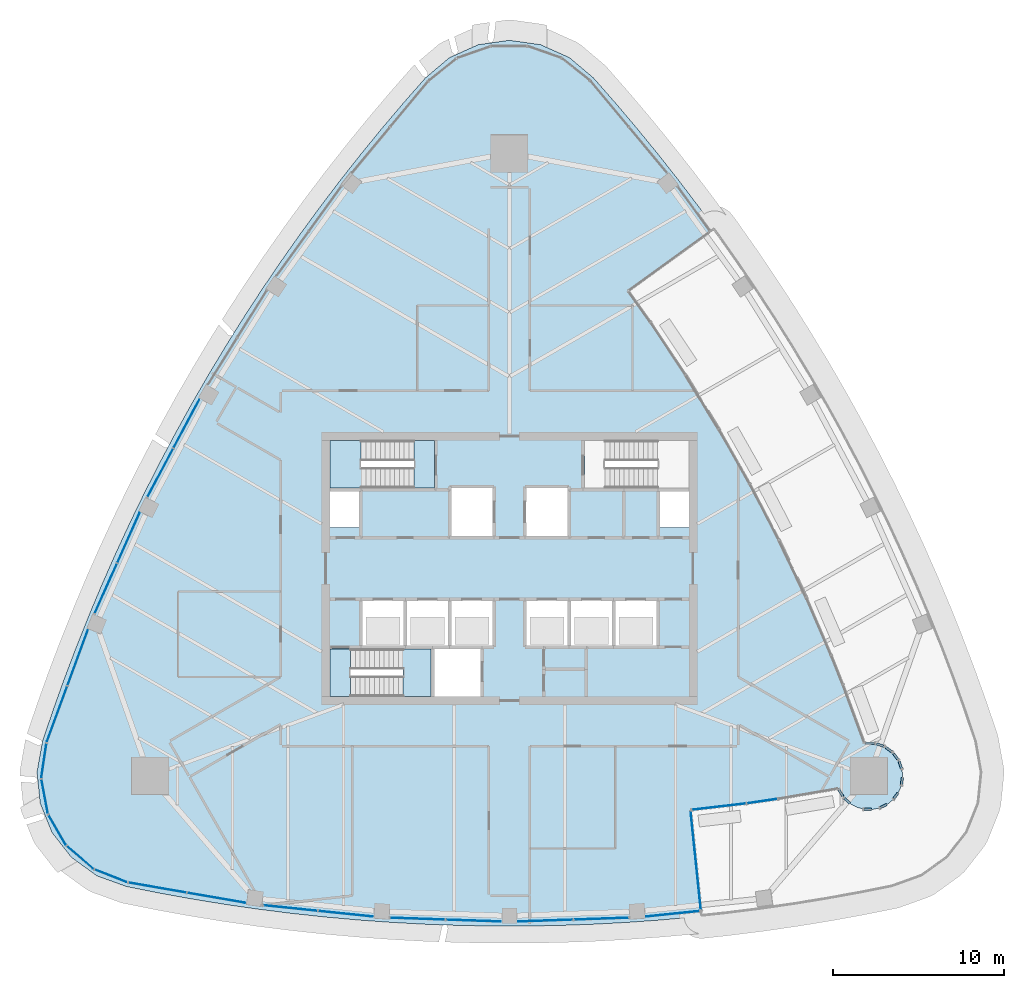
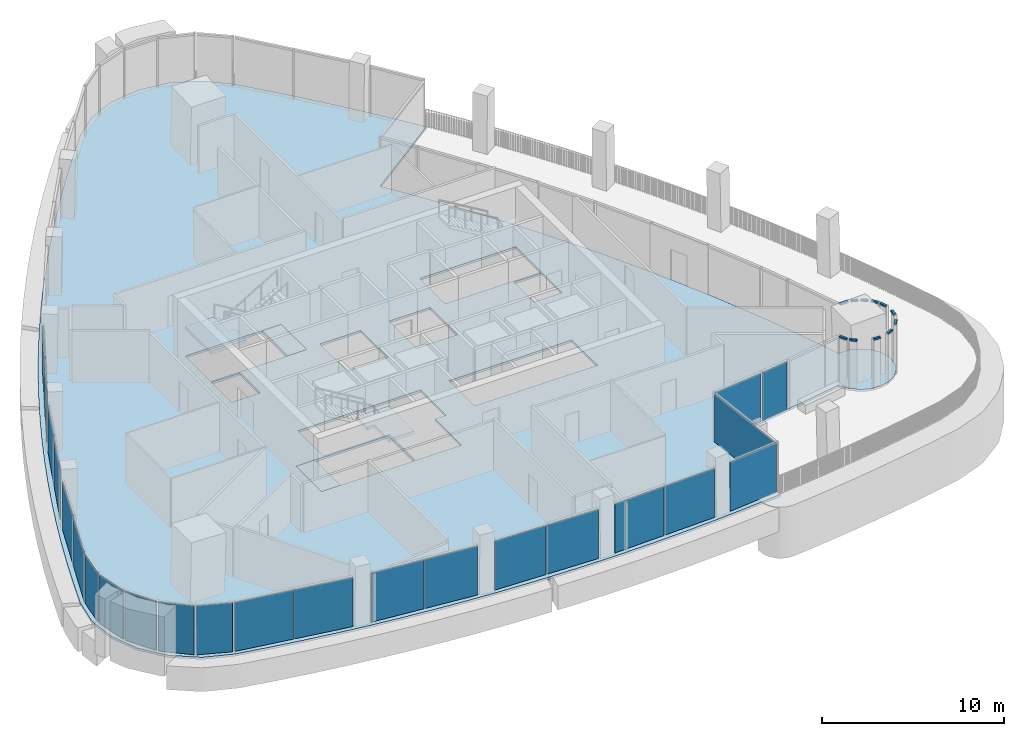
# One storey, part 8 of 20: 23 plates, 11 members, 5 slabs, 29 elements without a shape of their own.
"""IFC4 building model written with IfcOpenShell, lengths in metres."""

from ifc_helpers import new_model, si_unit, direction, frame, origin, origin_2d, place, context, subcontext, project, spatial, polyline, rectangle, outline, extrude, material, layer, layer_set, material_profile, profile_set, type_object, element, aggregate, save


model = new_model("IFC4")

# Units and contexts
model_context = context("Model", 3, precision=1e-05, world=origin(), true_north=direction((0.0, 1.0)))
body_context = subcontext(model_context, "Body", "Model", "MODEL_VIEW")
ifc_project = project(units=[si_unit("LENGTHUNIT", "METRE"), si_unit("AREAUNIT", "SQUARE_METRE"), si_unit("VOLUMEUNIT", "CUBIC_METRE"), si_unit("PLANEANGLEUNIT", "RADIAN"), si_unit("MASSUNIT", "GRAM", prefix="KILO")], contexts=[model_context])

# Site, building, storey
site_placement = place(None, origin())
site = spatial("IfcSite", under=ifc_project, at=site_placement, CompositionType="ELEMENT")
building_placement = place(site_placement, origin())
building = spatial("IfcBuilding", under=site, at=building_placement, Name="Sierra Prisma Convention Tower", CompositionType="ELEMENT")
storey_placement = place(building_placement, frame((0.0, 0.0, 275.0)))
storey = spatial("IfcBuildingStorey", under=building, at=storey_placement, Name="L62", CompositionType="ELEMENT", Elevation=275.0)

# Curtain wall, member
ifc_material_1 = material(Name="Aluminium and glass curtain wall", Category="aluminium")
ifc_layer_1 = layer(ifc_material_1, 0.179931640625)
ifc_layer_set_1 = layer_set([ifc_layer_1], Name="CW-6 Terrace recess curtain wall")
curtain_wall_type_1 = type_object("IfcCurtainWallType", Name="CW-6 Terrace recess curtain wall", PredefinedType="NOTDEFINED", material=ifc_layer_set_1)
curtain_wall_1_placement = place(storey_placement, origin())
curtain_wall_1 = element("IfcCurtainWall", 1, at=curtain_wall_1_placement, inside=storey, type_object=curtain_wall_type_1, Name="CW-6 R4 L62", PredefinedType="NOTDEFINED")
ifc_material_2 = material(Name="Aluminium 6063-T6 bronze anodised", Category="aluminium")
ifc_material_profile = material_profile(ifc_material_2, rectangle(XDim=0.139892578125, YDim=0.1201171875, at=origin_2d()), Name="ALU TRANSOM 120x140")
ifc_profile_set = profile_set([ifc_material_profile], Name="Aluminium 6063-T6 bronze anodised")
member_type = type_object("IfcMemberType", Name="CW transom bronze", PredefinedType="USERDEFINED", material=ifc_profile_set)
member_1_placement = place(storey_placement, frame((19.284423828125, -12.94140625, 3.280029296875), z_axis=(0.505207791499, -0.862997733142, 0.0), x_axis=(0.862997733142, 0.505207791499, 0.0)))
member_1 = element("IfcMember", 2, at=member_1_placement, type_object=member_type, Name="CW-6 transom R4.1", ObjectType="TRANSOM", PredefinedType="USERDEFINED", context=body_context, shape_type="SweptSolid", body=[
    extrude(rectangle(XDim=0.139892578125, YDim=0.1201171875, at=origin_2d()), origin(), (0.0, 0.0, 1.0), 0.46533203125),
])
aggregate(curtain_wall_1, [member_1])

curtain_wall_2_placement = place(storey_placement, origin())
curtain_wall_2 = element("IfcCurtainWall", 3, at=curtain_wall_2_placement, inside=storey, type_object=curtain_wall_type_1, Name="CW-6 R5 L62", PredefinedType="NOTDEFINED")
member_2_placement = place(storey_placement, frame((19.606689453125, -13.450439453125, 3.280029296875), z_axis=(0.740855729904, -0.671664192487, 0.0), x_axis=(0.671664192487, 0.740855729904, 0.0)))
member_2 = element("IfcMember", 4, at=member_2_placement, type_object=member_type, Name="CW-6 transom R5.1", ObjectType="TRANSOM", PredefinedType="USERDEFINED", context=body_context, shape_type="SweptSolid", body=[
    extrude(rectangle(XDim=0.139892578125, YDim=0.1201171875, at=origin_2d()), origin(), (0.0, 0.0, 1.0), 0.43408203125),
])
aggregate(curtain_wall_2, [member_2])

curtain_wall_3_placement = place(storey_placement, origin())
curtain_wall_3 = element("IfcCurtainWall", 5, at=curtain_wall_3_placement, inside=storey, type_object=curtain_wall_type_1, Name="CW-6 R8 L62", PredefinedType="NOTDEFINED")
member_3_placement = place(storey_placement, frame((20.755126953125, -14.084228515625, 3.280029296875), z_axis=(0.998773298385, -0.049516648033, 0.0), x_axis=(0.049516648033, 0.998773298385, 0.0)))
member_3 = element("IfcMember", 6, at=member_3_placement, type_object=member_type, Name="CW-6 transom R8.1", ObjectType="TRANSOM", PredefinedType="USERDEFINED", context=body_context, shape_type="SweptSolid", body=[
    extrude(rectangle(XDim=0.139892578125, YDim=0.1201171875, at=origin_2d()), origin(), (0.0, 0.0, 1.0), 0.433837890625),
])
aggregate(curtain_wall_3, [member_3])

curtain_wall_4_placement = place(storey_placement, origin())
curtain_wall_4 = element("IfcCurtainWall", 7, at=curtain_wall_4_placement, inside=storey, type_object=curtain_wall_type_1, Name="CW-6 R10 L62", PredefinedType="NOTDEFINED")
member_4_placement = place(storey_placement, frame((21.697509765625, -14.00439453125, 3.280029296875), z_axis=(0.904001119552, 0.427530087654, 0.0), x_axis=(-0.427530087654, 0.904001119552, 0.0)))
member_4 = element("IfcMember", 8, at=member_4_placement, type_object=member_type, Name="CW-6 transom R10.1", ObjectType="TRANSOM", PredefinedType="USERDEFINED", context=body_context, shape_type="SweptSolid", body=[
    extrude(rectangle(XDim=0.139892578125, YDim=0.1201171875, at=origin_2d()), origin(), (0.0, 0.0, 1.0), 0.43408203125),
])
aggregate(curtain_wall_4, [member_4])

curtain_wall_5_placement = place(storey_placement, origin())
curtain_wall_5 = element("IfcCurtainWall", 9, at=curtain_wall_5_placement, inside=storey, type_object=curtain_wall_type_1, Name="CW-6 R12 L62", PredefinedType="NOTDEFINED")
member_5_placement = place(storey_placement, frame((22.4912109375, -13.489501953125, 3.280029296875), z_axis=(0.595671369391, 0.803228248811, 0.0), x_axis=(-0.803228248811, 0.595671369391, 0.0)))
member_5 = element("IfcMember", 10, at=member_5_placement, type_object=member_type, Name="CW-6 transom R12.1", ObjectType="TRANSOM", PredefinedType="USERDEFINED", context=body_context, shape_type="SweptSolid", body=[
    extrude(rectangle(XDim=0.139892578125, YDim=0.1201171875, at=origin_2d()), origin(), (0.0, 0.0, 1.0), 0.43408203125),
])
aggregate(curtain_wall_5, [member_5])

curtain_wall_6_placement = place(storey_placement, origin())
curtain_wall_6 = element("IfcCurtainWall", 11, at=curtain_wall_6_placement, inside=storey, type_object=curtain_wall_type_1, Name="CW-6 R14 L62", PredefinedType="NOTDEFINED")
member_6_placement = place(storey_placement, frame((22.9482421875, -12.661376953125, 3.280029296875), z_axis=(0.146854530217, 0.98915810008, 0.0), x_axis=(-0.98915810008, 0.146854530217, 0.0)))
member_6 = element("IfcMember", 12, at=member_6_placement, type_object=member_type, Name="CW-6 transom R14.1", ObjectType="TRANSOM", PredefinedType="USERDEFINED", context=body_context, shape_type="SweptSolid", body=[
    extrude(rectangle(XDim=0.139892578125, YDim=0.1201171875, at=origin_2d()), origin(), (0.0, 0.0, 1.0), 0.433837890625),
])
aggregate(curtain_wall_6, [member_6])

curtain_wall_7_placement = place(storey_placement, origin())
curtain_wall_7 = element("IfcCurtainWall", 13, at=curtain_wall_7_placement, inside=storey, type_object=curtain_wall_type_1, Name="CW-6 R16 L62", PredefinedType="NOTDEFINED")
member_7_placement = place(storey_placement, frame((22.961181640625, -11.71533203125, 3.280029296875), z_axis=(-0.337084921302, 0.941474245973, 0.0), x_axis=(-0.941474245973, -0.337084921302, 0.0)))
member_7 = element("IfcMember", 14, at=member_7_placement, type_object=member_type, Name="CW-6 transom R16.1", ObjectType="TRANSOM", PredefinedType="USERDEFINED", context=body_context, shape_type="SweptSolid", body=[
    extrude(rectangle(XDim=0.139892578125, YDim=0.1201171875, at=origin_2d()), origin(), (0.0, 0.0, 1.0), 0.433837890625),
])
aggregate(curtain_wall_7, [member_7])

curtain_wall_8_placement = place(storey_placement, origin())
curtain_wall_8 = element("IfcCurtainWall", 15, at=curtain_wall_8_placement, inside=storey, type_object=curtain_wall_type_1, Name="CW-6 R17 L62", PredefinedType="NOTDEFINED")
member_8_placement = place(storey_placement, frame((22.749755859375, -11.184814453125, 3.280029296875), z_axis=(-0.595671369391, 0.803228248811, 0.0), x_axis=(-0.803228248811, -0.595671369391, 0.0)))
member_8 = element("IfcMember", 16, at=member_8_placement, type_object=member_type, Name="CW-6 transom R17.1", ObjectType="TRANSOM", PredefinedType="USERDEFINED", context=body_context, shape_type="SweptSolid", body=[
    extrude(rectangle(XDim=0.139892578125, YDim=0.1201171875, at=origin_2d()), origin(), (0.0, 0.0, 1.0), 0.43408203125),
])
aggregate(curtain_wall_8, [member_8])

curtain_wall_9_placement = place(storey_placement, origin())
curtain_wall_9 = element("IfcCurtainWall", 17, at=curtain_wall_9_placement, inside=storey, type_object=curtain_wall_type_1, Name="CW-6 R18 L62", PredefinedType="NOTDEFINED")
member_9_placement = place(storey_placement, frame((22.393310546875, -10.73828125, 3.280029296875), z_axis=(-0.803228248811, 0.595671369391, 0.0), x_axis=(-0.595671369391, -0.803228248811, 0.0)))
member_9 = element("IfcMember", 18, at=member_9_placement, type_object=member_type, Name="CW-6 transom R18.1", ObjectType="TRANSOM", PredefinedType="USERDEFINED", context=body_context, shape_type="SweptSolid", body=[
    extrude(rectangle(XDim=0.139892578125, YDim=0.1201171875, at=origin_2d()), origin(), (0.0, 0.0, 1.0), 0.43408203125),
])
aggregate(curtain_wall_9, [member_9])

curtain_wall_10_placement = place(storey_placement, origin())
curtain_wall_10 = element("IfcCurtainWall", 19, at=curtain_wall_10_placement, inside=storey, type_object=curtain_wall_type_1, Name="CW-6 R19 L62", PredefinedType="NOTDEFINED")
member_10_placement = place(storey_placement, frame((21.922607421875, -10.41455078125, 3.280029296875), z_axis=(-0.941474245973, 0.337084921302, 0.0), x_axis=(-0.337084921302, -0.941474245973, 0.0)))
member_10 = element("IfcMember", 20, at=member_10_placement, type_object=member_type, Name="CW-6 transom R19.1", ObjectType="TRANSOM", PredefinedType="USERDEFINED", context=body_context, shape_type="SweptSolid", body=[
    extrude(rectangle(XDim=0.139892578125, YDim=0.1201171875, at=origin_2d()), origin(), (0.0, 0.0, 1.0), 0.433837890625),
])
aggregate(curtain_wall_10, [member_10])

curtain_wall_11_placement = place(storey_placement, origin())
curtain_wall_11 = element("IfcCurtainWall", 21, at=curtain_wall_11_placement, inside=storey, type_object=curtain_wall_type_1, Name="CW-6 R20 L62", PredefinedType="NOTDEFINED")
member_11_placement = place(storey_placement, frame((21.378173828125, -10.243408203125, 3.280029296875), z_axis=(-0.999773939156, 0.021261951549, 0.0), x_axis=(-0.021261951549, -0.999773939156, 0.0)))
member_11 = element("IfcMember", 22, at=member_11_placement, type_object=member_type, Name="CW-6 transom R20.1", ObjectType="TRANSOM", PredefinedType="USERDEFINED", context=body_context, shape_type="SweptSolid", body=[
    extrude(rectangle(XDim=0.139892578125, YDim=0.1201171875, at=origin_2d()), origin(), (0.0, 0.0, 1.0), 0.528076171875),
])
aggregate(curtain_wall_11, [member_11])

# Curtain wall, plates
ifc_material_3 = material(Name="Aluminium and glass curtain wall", Category="aluminium")
ifc_layer_2 = layer(ifc_material_3, 0.179931640625)
ifc_layer_set_2 = layer_set([ifc_layer_2], Name="CW-1 Plain shaft curtain wall")
curtain_wall_type_2 = type_object("IfcCurtainWallType", Name="CW-1 Plain shaft curtain wall", PredefinedType="NOTDEFINED", material=ifc_layer_set_2)
curtain_wall_12_placement = place(storey_placement, origin())
curtain_wall_12 = element("IfcCurtainWall", 23, at=curtain_wall_12_placement, inside=storey, type_object=curtain_wall_type_2, Name="CW-1 NW4 L62", PredefinedType="NOTDEFINED")
ifc_material_4 = material(Name="Tinted glass bronze-grey IGU", Category="glass")
ifc_layer_3 = layer(ifc_material_4, 0.028076171875)
ifc_layer_set_3 = layer_set([ifc_layer_3], Name="CW-1 glass panel")
plate_type_1 = type_object("IfcPlateType", Name="CW-1 glass panel", PredefinedType="CURTAIN_PANEL", material=ifc_layer_set_3)
plate_1_placement = place(storey_placement, frame((-18.91259765625, 8.47705078125, 0.0), z_axis=(0.0, 0.0, 1.0), x_axis=(-0.469983345688, -0.882675282749, 0.0)))
plate_1 = element("IfcPlate", 24, at=plate_1_placement, type_object=plate_type_1, Name="CW-1 panel NW4.1", PredefinedType="CURTAIN_PANEL", context=body_context, shape_type="SweptSolid", body=[
    extrude(rectangle(XDim=3.192138671875, YDim=0.028076171875, at=origin_2d()), origin(), (0.0, 0.0, 1.0), 3.280029296875),
])
plate_2_placement = place(storey_placement, frame((-20.44580078125, 5.59765625, 0.0), z_axis=(0.0, 0.0, 1.0), x_axis=(-0.469983345688, -0.882675282749, 0.0)))
plate_2 = element("IfcPlate", 25, at=plate_2_placement, type_object=plate_type_1, Name="CW-1 panel NW4.2", PredefinedType="CURTAIN_PANEL", context=body_context, shape_type="SweptSolid", body=[
    extrude(rectangle(XDim=3.192138671875, YDim=0.028076171875, at=origin_2d()), origin(), (0.0, 0.0, 1.0), 3.280029296875),
])
aggregate(curtain_wall_12, [plate_1, plate_2])

curtain_wall_13_placement = place(storey_placement, origin())
curtain_wall_13 = element("IfcCurtainWall", 26, at=curtain_wall_13_placement, inside=storey, type_object=curtain_wall_type_2, Name="CW-1 NW5 L62", PredefinedType="NOTDEFINED")
plate_3_placement = place(storey_placement, frame((-22.306884765625, 1.794677734375, 0.0), z_axis=(0.0, 0.0, 1.0), x_axis=(-0.408324827151, -0.912836697078, 0.0)))
plate_3 = element("IfcPlate", 27, at=plate_3_placement, type_object=plate_type_1, Name="CW-1 panel NW5.1", PredefinedType="CURTAIN_PANEL", context=body_context, shape_type="SweptSolid", body=[
    extrude(rectangle(XDim=3.17626953125, YDim=0.028076171875, at=origin_2d()), origin(), (0.0, 0.0, 1.0), 3.280029296875),
])
plate_4_placement = place(storey_placement, frame((-23.63232421875, -1.168701171875, 0.0), z_axis=(0.0, 0.0, 1.0), x_axis=(-0.408324827151, -0.912836697078, 0.0)))
plate_4 = element("IfcPlate", 28, at=plate_4_placement, type_object=plate_type_1, Name="CW-1 panel NW5.2", PredefinedType="CURTAIN_PANEL", context=body_context, shape_type="SweptSolid", body=[
    extrude(rectangle(XDim=3.17626953125, YDim=0.028076171875, at=origin_2d()), origin(), (0.0, 0.0, 1.0), 3.280029296875),
])
aggregate(curtain_wall_13, [plate_3, plate_4])

curtain_wall_14_placement = place(storey_placement, origin())
curtain_wall_14 = element("IfcCurtainWall", 29, at=curtain_wall_14_placement, inside=storey, type_object=curtain_wall_type_2, Name="CW-1 NW6 L62", PredefinedType="NOTDEFINED")
plate_5_placement = place(storey_placement, frame((-25.280517578125, -5.22802734375, 0.0), z_axis=(0.0, 0.0, 1.0), x_axis=(-0.34474249278, -0.938697296082, 0.0)))
plate_5 = element("IfcPlate", 30, at=plate_5_placement, type_object=plate_type_1, Name="CW-1 panel NW6.1", PredefinedType="CURTAIN_PANEL", context=body_context, shape_type="SweptSolid", body=[
    extrude(rectangle(XDim=3.42333984375, YDim=0.028076171875, at=origin_2d()), origin(), (0.0, 0.0, 1.0), 3.280029296875),
])
plate_6_placement = place(storey_placement, frame((-26.48486328125, -8.507080078125, 0.0), z_axis=(0.0, 0.0, 1.0), x_axis=(-0.34474249278, -0.938697296082, 0.0)))
plate_6 = element("IfcPlate", 31, at=plate_6_placement, type_object=plate_type_1, Name="CW-1 panel NW6.2", PredefinedType="CURTAIN_PANEL", context=body_context, shape_type="SweptSolid", body=[
    extrude(rectangle(XDim=3.42333984375, YDim=0.028076171875, at=origin_2d()), origin(), (0.0, 0.0, 1.0), 3.280029296875),
])
aggregate(curtain_wall_14, [plate_5, plate_6])

# Curtain wall, plate
curtain_wall_15_placement = place(storey_placement, origin())
curtain_wall_15 = element("IfcCurtainWall", 32, at=curtain_wall_15_placement, inside=storey, type_object=curtain_wall_type_2, Name="CW-1 SW1 L62", PredefinedType="NOTDEFINED")
plate_7_placement = place(storey_placement, frame((-27.25732421875, -11.231201171875, 0.0), z_axis=(0.0, 0.0, 1.0), x_axis=(-0.148835261033, -0.988862005071, 0.0)))
plate_7 = element("IfcPlate", 33, at=plate_7_placement, type_object=plate_type_1, Name="CW-1 panel SW1.1", PredefinedType="CURTAIN_PANEL", context=body_context, shape_type="SweptSolid", body=[
    extrude(rectangle(XDim=1.986572265625, YDim=0.028076171875, at=origin_2d()), origin(), (0.0, 0.0, 1.0), 3.280029296875),
])
aggregate(curtain_wall_15, [plate_7])

curtain_wall_16_placement = place(storey_placement, origin())
curtain_wall_16 = element("IfcCurtainWall", 34, at=curtain_wall_16_placement, inside=storey, type_object=curtain_wall_type_2, Name="CW-1 SW2 L62", PredefinedType="NOTDEFINED")
plate_8_placement = place(storey_placement, frame((-27.2177734375, -13.327392578125, 0.0), z_axis=(0.0, 0.0, 1.0), x_axis=(0.186014451385, -0.982547008481, 0.0)))
plate_8 = element("IfcPlate", 35, at=plate_8_placement, type_object=plate_type_1, Name="CW-1 panel SW2.1", PredefinedType="CURTAIN_PANEL", context=body_context, shape_type="SweptSolid", body=[
    extrude(rectangle(XDim=1.986572265625, YDim=0.028076171875, at=origin_2d()), origin(), (0.0, 0.0, 1.0), 3.280029296875),
])
aggregate(curtain_wall_16, [plate_8])

curtain_wall_17_placement = place(storey_placement, origin())
curtain_wall_17 = element("IfcCurtainWall", 36, at=curtain_wall_17_placement, inside=storey, type_object=curtain_wall_type_2, Name="CW-1 SW3 L62", PredefinedType="NOTDEFINED")
plate_9_placement = place(storey_placement, frame((-26.48828125, -15.29296875, 0.0), z_axis=(0.0, 0.0, 1.0), x_axis=(0.5, -0.866025403784, 0.0)))
plate_9 = element("IfcPlate", 37, at=plate_9_placement, type_object=plate_type_1, Name="CW-1 panel SW3.1", PredefinedType="CURTAIN_PANEL", context=body_context, shape_type="SweptSolid", body=[
    extrude(rectangle(XDim=1.986572265625, YDim=0.028076171875, at=origin_2d()), origin(), (0.0, 0.0, 1.0), 3.280029296875),
])
aggregate(curtain_wall_17, [plate_9])

curtain_wall_18_placement = place(storey_placement, origin())
curtain_wall_18 = element("IfcCurtainWall", 38, at=curtain_wall_18_placement, inside=storey, type_object=curtain_wall_type_2, Name="CW-1 SW4 L62", PredefinedType="NOTDEFINED")
plate_10_placement = place(storey_placement, frame((-25.150634765625, -16.907470703125, 0.0), z_axis=(0.0, 0.0, 1.0), x_axis=(0.757903444065, -0.652366744611, 0.0)))
plate_10 = element("IfcPlate", 39, at=plate_10_placement, type_object=plate_type_1, Name="CW-1 panel SW4.1", PredefinedType="CURTAIN_PANEL", context=body_context, shape_type="SweptSolid", body=[
    extrude(rectangle(XDim=1.986572265625, YDim=0.028076171875, at=origin_2d()), origin(), (0.0, 0.0, 1.0), 3.280029296875),
])
aggregate(curtain_wall_18, [plate_10])

curtain_wall_19_placement = place(storey_placement, origin())
curtain_wall_19 = element("IfcCurtainWall", 40, at=curtain_wall_19_placement, inside=storey, type_object=curtain_wall_type_2, Name="CW-1 SW5 L62", PredefinedType="NOTDEFINED")
plate_11_placement = place(storey_placement, frame((-23.35498046875, -17.989990234375, 0.0), z_axis=(0.0, 0.0, 1.0), x_axis=(0.930797247745, -0.365535885502, 0.0)))
plate_11 = element("IfcPlate", 41, at=plate_11_placement, type_object=plate_type_1, Name="CW-1 panel SW5.1", PredefinedType="CURTAIN_PANEL", context=body_context, shape_type="SweptSolid", body=[
    extrude(rectangle(XDim=1.986572265625, YDim=0.028076171875, at=origin_2d()), origin(), (0.0, 0.0, 1.0), 3.280029296875),
])
aggregate(curtain_wall_19, [plate_11])

# Curtain wall, plates
curtain_wall_20_placement = place(storey_placement, origin())
curtain_wall_20 = element("IfcCurtainWall", 42, at=curtain_wall_20_placement, inside=storey, type_object=curtain_wall_type_2, Name="CW-1 S1 L62", PredefinedType="NOTDEFINED")
plate_12_placement = place(storey_placement, frame((-20.60986328125, -18.682861328125, 0.0), z_axis=(0.0, 0.0, 1.0), x_axis=(0.985306951261, -0.17079289153, 0.0)))
plate_12 = element("IfcPlate", 43, at=plate_12_placement, type_object=plate_type_1, Name="CW-1 panel S1.1", PredefinedType="CURTAIN_PANEL", context=body_context, shape_type="SweptSolid", body=[
    extrude(rectangle(XDim=3.42333984375, YDim=0.028076171875, at=origin_2d()), origin(), (0.0, 0.0, 1.0), 3.280029296875),
])
plate_13_placement = place(storey_placement, frame((-17.16796875, -19.279541015625, 0.0), z_axis=(0.0, 0.0, 1.0), x_axis=(0.985306951261, -0.17079289153, 0.0)))
plate_13 = element("IfcPlate", 44, at=plate_13_placement, type_object=plate_type_1, Name="CW-1 panel S1.2", PredefinedType="CURTAIN_PANEL", context=body_context, shape_type="SweptSolid", body=[
    extrude(rectangle(XDim=3.42333984375, YDim=0.028076171875, at=origin_2d()), origin(), (0.0, 0.0, 1.0), 3.280029296875),
])
aggregate(curtain_wall_20, [plate_12, plate_13])

curtain_wall_21_placement = place(storey_placement, origin())
curtain_wall_21 = element("IfcCurtainWall", 45, at=curtain_wall_21_placement, inside=storey, type_object=curtain_wall_type_2, Name="CW-1 S2 L62", PredefinedType="NOTDEFINED")
plate_14_placement = place(storey_placement, frame((-12.828369140625, -19.8818359375, 0.0), z_axis=(0.0, 0.0, 1.0), x_axis=(0.994702182752, -0.102798675231, 0.0)))
plate_14 = element("IfcPlate", 46, at=plate_14_placement, type_object=plate_type_1, Name="CW-1 panel S2.1", PredefinedType="CURTAIN_PANEL", context=body_context, shape_type="SweptSolid", body=[
    extrude(rectangle(XDim=3.17626953125, YDim=0.028076171875, at=origin_2d()), origin(), (0.0, 0.0, 1.0), 3.280029296875),
])
plate_15_placement = place(storey_placement, frame((-9.59912109375, -20.215576171875, 0.0), z_axis=(0.0, 0.0, 1.0), x_axis=(0.994702182752, -0.102798675231, 0.0)))
plate_15 = element("IfcPlate", 47, at=plate_15_placement, type_object=plate_type_1, Name="CW-1 panel S2.2", PredefinedType="CURTAIN_PANEL", context=body_context, shape_type="SweptSolid", body=[
    extrude(rectangle(XDim=3.17626953125, YDim=0.028076171875, at=origin_2d()), origin(), (0.0, 0.0, 1.0), 3.280029296875),
])
aggregate(curtain_wall_21, [plate_14, plate_15])

curtain_wall_22_placement = place(storey_placement, origin())
curtain_wall_22 = element("IfcCurtainWall", 48, at=curtain_wall_22_placement, inside=storey, type_object=curtain_wall_type_2, Name="CW-1 S3 L62", PredefinedType="NOTDEFINED")
plate_16_placement = place(storey_placement, frame((-5.375244140625, -20.50537109375, 0.0), z_axis=(0.0, 0.0, 1.0), x_axis=(0.999410890997, -0.034320124653, 0.0)))
plate_16 = element("IfcPlate", 49, at=plate_16_placement, type_object=plate_type_1, Name="CW-1 panel S3.1", PredefinedType="CURTAIN_PANEL", context=body_context, shape_type="SweptSolid", body=[
    extrude(rectangle(XDim=3.192138671875, YDim=0.028076171875, at=origin_2d()), origin(), (0.0, 0.0, 1.0), 3.280029296875),
])
plate_17_placement = place(storey_placement, frame((-2.11474609375, -20.617431640625, 0.0), z_axis=(0.0, 0.0, 1.0), x_axis=(0.999410890997, -0.034320124653, 0.0)))
plate_17 = element("IfcPlate", 50, at=plate_17_placement, type_object=plate_type_1, Name="CW-1 panel S3.2", PredefinedType="CURTAIN_PANEL", context=body_context, shape_type="SweptSolid", body=[
    extrude(rectangle(XDim=3.192138671875, YDim=0.028076171875, at=origin_2d()), origin(), (0.0, 0.0, 1.0), 3.280029296875),
])
aggregate(curtain_wall_22, [plate_16, plate_17])

curtain_wall_23_placement = place(storey_placement, origin())
curtain_wall_23 = element("IfcCurtainWall", 51, at=curtain_wall_23_placement, inside=storey, type_object=curtain_wall_type_2, Name="CW-1 S4 L62", PredefinedType="NOTDEFINED")
plate_18_placement = place(storey_placement, frame((2.11474609375, -20.617431640625, 0.0), z_axis=(0.0, 0.0, 1.0), x_axis=(0.999410890997, 0.034320124653, 0.0)))
plate_18 = element("IfcPlate", 52, at=plate_18_placement, type_object=plate_type_1, Name="CW-1 panel S4.1", PredefinedType="CURTAIN_PANEL", context=body_context, shape_type="SweptSolid", body=[
    extrude(rectangle(XDim=3.192138671875, YDim=0.028076171875, at=origin_2d()), origin(), (0.0, 0.0, 1.0), 3.280029296875),
])
plate_19_placement = place(storey_placement, frame((5.375244140625, -20.50537109375, 0.0), z_axis=(0.0, 0.0, 1.0), x_axis=(0.999410890997, 0.034320124653, 0.0)))
plate_19 = element("IfcPlate", 53, at=plate_19_placement, type_object=plate_type_1, Name="CW-1 panel S4.2", PredefinedType="CURTAIN_PANEL", context=body_context, shape_type="SweptSolid", body=[
    extrude(rectangle(XDim=3.192138671875, YDim=0.028076171875, at=origin_2d()), origin(), (0.0, 0.0, 1.0), 3.280029296875),
])
aggregate(curtain_wall_23, [plate_18, plate_19])

# Curtain wall, plate
curtain_wall_24_placement = place(storey_placement, origin())
curtain_wall_24 = element("IfcCurtainWall", 54, at=curtain_wall_24_placement, inside=storey, type_object=curtain_wall_type_2, Name="CW-1 S5 L62", PredefinedType="NOTDEFINED")
plate_20_placement = place(storey_placement, frame((9.581787109375, -20.217529296875, 0.0), z_axis=(0.0, 0.0, 1.0), x_axis=(0.994702182752, 0.102798675231, 0.0)))
plate_20 = element("IfcPlate", 55, at=plate_20_placement, type_object=plate_type_1, Name="CW-1 panel S5.1", PredefinedType="CURTAIN_PANEL", context=body_context, shape_type="SweptSolid", body=[
    extrude(rectangle(XDim=3.141357421875, YDim=0.028076171875, at=origin_2d()), origin(), (0.0, 0.0, 1.0), 3.280029296875),
])
aggregate(curtain_wall_24, [plate_20])

curtain_wall_25_placement = place(storey_placement, origin())
curtain_wall_25 = element("IfcCurtainWall", 56, at=curtain_wall_25_placement, inside=storey, type_object=curtain_wall_type_1, Name="CW-6 R1 L62", PredefinedType="NOTDEFINED")
ifc_material_5 = material(Name="Tinted glass bronze-grey IGU", Category="glass")
ifc_layer_4 = layer(ifc_material_5, 0.028076171875)
ifc_layer_set_4 = layer_set([ifc_layer_4], Name="CW-6 glass panel")
plate_type_2 = type_object("IfcPlateType", Name="CW-6 glass panel", PredefinedType="CURTAIN_PANEL", material=ifc_layer_set_4)
plate_21_placement = place(storey_placement, frame((12.222412109375, -13.947998046875, 0.0), z_axis=(0.0, 0.0, 1.0), x_axis=(0.99323167317, 0.116150090025, 0.0)))
plate_21 = element("IfcPlate", 57, at=plate_21_placement, type_object=plate_type_2, Name="CW-6 panel R1.1", PredefinedType="CURTAIN_PANEL", context=body_context, shape_type="SweptSolid", body=[
    extrude(rectangle(XDim=3.12109375, YDim=0.028076171875, at=origin_2d()), origin(), (0.0, 0.0, 1.0), 3.219970703125),
])
aggregate(curtain_wall_25, [plate_21])

curtain_wall_26_placement = place(storey_placement, origin())
curtain_wall_26 = element("IfcCurtainWall", 58, at=curtain_wall_26_placement, inside=storey, type_object=curtain_wall_type_1, Name="CW-6 R2 L62", PredefinedType="NOTDEFINED")
plate_22_placement = place(storey_placement, frame((14.758056640625, -13.62646484375, 0.0), z_axis=(0.0, 0.0, 1.0), x_axis=(0.989753347106, 0.142787646148, 0.0)))
plate_22 = element("IfcPlate", 59, at=plate_22_placement, type_object=plate_type_2, Name="CW-6 panel R2.1", PredefinedType="CURTAIN_PANEL", context=body_context, shape_type="SweptSolid", body=[
    extrude(rectangle(XDim=1.711181640625, YDim=0.028076171875, at=origin_2d()), origin(), (0.0, 0.0, 1.0), 3.219970703125),
])
aggregate(curtain_wall_26, [plate_22])

curtain_wall_27_placement = place(storey_placement, origin())
curtain_wall_27 = element("IfcCurtainWall", 60, at=curtain_wall_27_placement, inside=storey, type_object=curtain_wall_type_1, Name="CW-6 RT1 L62", PredefinedType="NOTDEFINED")
plate_23_placement = place(storey_placement, frame((10.908447265625, -17.09326171875, 0.0), z_axis=(0.0, 0.0, 1.0), x_axis=(-0.102798675231, 0.994702182752, 0.0)))
plate_23 = element("IfcPlate", 61, at=plate_23_placement, type_object=plate_type_2, Name="CW-6 panel RT1.1", PredefinedType="CURTAIN_PANEL", context=body_context, shape_type="SweptSolid", body=[
    extrude(rectangle(XDim=5.802734375, YDim=0.028076171875, at=origin_2d()), origin(), (0.0, 0.0, 1.0), 3.219970703125),
])
aggregate(curtain_wall_27, [plate_23])

# Slab
ifc_material_6 = material(Name="Concrete C35/45", Category="concrete")
ifc_layer_5 = layer(ifc_material_6, 0.14990234375)
ifc_layer_set_5 = layer_set([ifc_layer_5], Name="Composite floor slab 150")
slab_type_1 = type_object("IfcSlabType", Name="Composite floor slab 150", PredefinedType="FLOOR", material=ifc_layer_set_5)
slab_1_placement = place(storey_placement, frame((0.0, 0.0, -0.14990234375)))
element("IfcSlab", 62, at=slab_1_placement, inside=storey, type_object=slab_type_1, Name="Floor slab L62 floor", PredefinedType="FLOOR", context=body_context, shape_type="SweptSolid", body=[
    extrude(outline(polyline([(10.779541015625, -20.40869140625), (11.2470703125, -20.358154296875), (10.602783203125, -14.137451171875), (13.842041015625, -13.7587890625), (15.674072265625, -13.494384765625), (19.2490234375, -12.880859375), (19.554931640625, -13.403564453125), (19.980224609375, -13.788818359375), (20.318359375, -13.9697265625), (20.68505859375, -14.080810546875), (21.25830078125, -14.109130859375), (21.63427734375, -14.0341796875), (22.153076171875, -13.788818359375), (22.449462890625, -13.545654296875), (22.791259765625, -13.084716796875), (22.93798828125, -12.73046875), (23.022216796875, -12.162841796875), (22.984619140625, -11.78125), (22.791259765625, -11.240966796875), (22.449462890625, -10.780029296875), (21.988525390625, -10.438232421875), (21.4482421875, -10.244873046875), (20.780029296875, -10.230712890625), (19.523681640625, -6.8271484375), (18.83642578125, -5.108154296875), (17.370361328125, -1.708740234375), (15.783203125, 1.635986328125), (14.07763671875, 4.921875), (12.25537109375, 8.144287109375), (10.31884765625, 11.299560546875), (8.2705078125, 14.383544921875), (6.94140625, 16.251708984375), (12.006591796875, 19.920166015625), (11.12646484375, 21.124755859375), (9.93994140625, 22.688720703125), (8.725830078125, 24.231201171875), (7.484130859375, 25.751708984375), (6.21533203125, 27.249755859375), (4.920166015625, 28.724853515625), (3.510498046875, 29.914794921875), (1.82666015625, 30.66796875), (0.0, 30.92578125), (-1.82666015625, 30.66796875), (-3.510498046875, 29.914794921875), (-4.920166015625, 28.724853515625), (-6.21533203125, 27.249755859375), (-7.484130859375, 25.751708984375), (-8.725830078125, 24.231201171875), (-9.93994140625, 22.688720703125), (-11.12646484375, 21.124755859375), (-12.28466796875, 19.539794921875), (-13.414306640625, 17.934326171875), (-14.514892578125, 16.308837890625), (-15.58642578125, 14.663818359375), (-16.628173828125, 13.0), (-17.639892578125, 11.31787109375), (-18.62158203125, 9.61767578125), (-19.572509765625, 7.900390625), (-20.492431640625, 6.166259765625), (-21.38134765625, 4.416015625), (-22.23876953125, 2.64990234375), (-23.064208984375, 0.868896484375), (-23.857666015625, -0.926513671875), (-24.619140625, -2.736083984375), (-25.34765625, -4.558837890625), (-26.043701171875, -6.39453125), (-26.706787109375, -8.2421875), (-27.33642578125, -10.1015625), (-27.662109375, -11.917236328125), (-27.472412109375, -13.752197265625), (-26.782470703125, -15.462890625), (-25.64599609375, -16.915771484375), (-24.151611328125, -17.99755859375), (-22.41650390625, -18.623291015625), (-20.4912109375, -19.007568359375), (-18.5595703125, -19.357177734375), (-16.6220703125, -19.67236328125), (-14.678955078125, -19.95263671875), (-12.7314453125, -20.197998046875), (-10.779541015625, -20.40869140625), (-8.824462890625, -20.584228515625), (-6.866455078125, -20.724609375), (-4.906005859375, -20.830078125), (-2.9443359375, -20.900390625), (-0.9814453125, -20.935546875), (0.9814453125, -20.935546875), (2.9443359375, -20.900390625), (4.906005859375, -20.830078125), (6.866455078125, -20.724609375), (8.824462890625, -20.584228515625), (10.779541015625, -20.40869140625)]), holes=[polyline([(-4.60009765625, -4.699951171875), (-4.60009765625, -7.5), (-10.5, -7.5), (-10.5, -4.699951171875), (-4.60009765625, -4.699951171875)]), polyline([(-4.5, -7.5), (-4.5, -4.60009765625), (-6.10009765625, -4.60009765625), (-8.699951171875, -4.60009765625), (-8.699951171875, -1.800048828125), (-6.10009765625, -1.800048828125), (-3.5, -1.800048828125), (-0.89990234375, -1.800048828125), (-0.89990234375, -4.60009765625), (-1.60009765625, -4.60009765625), (-1.60009765625, -7.5), (-4.5, -7.5)]), polyline([(-8.699951171875, 2.39990234375), (-10.5, 2.39990234375), (-10.5, 4.60009765625), (-8.699951171875, 4.60009765625), (-8.699951171875, 2.39990234375)]), polyline([(-4.39990234375, 4.699951171875), (-10.5, 4.699951171875), (-10.5, 7.5), (-4.39990234375, 7.5), (-4.39990234375, 4.699951171875)]), polyline([(3.5, -1.800048828125), (6.10009765625, -1.800048828125), (8.699951171875, -1.800048828125), (8.699951171875, -4.60009765625), (6.10009765625, -4.60009765625), (3.5, -4.60009765625), (0.89990234375, -4.60009765625), (0.89990234375, -1.800048828125), (3.5, -1.800048828125)]), polyline([(-0.89990234375, 1.800048828125), (-3.5, 1.800048828125), (-3.5, 4.800048828125), (-0.89990234375, 4.800048828125), (-0.89990234375, 1.800048828125)]), polyline([(3.5, 1.800048828125), (0.89990234375, 1.800048828125), (0.89990234375, 4.800048828125), (3.5, 4.800048828125), (3.5, 1.800048828125)]), polyline([(10.5, 2.39990234375), (8.699951171875, 2.39990234375), (8.699951171875, 4.60009765625), (10.5, 4.60009765625), (10.5, 2.39990234375)]), polyline([(10.5, 4.699951171875), (4.39990234375, 4.699951171875), (4.39990234375, 7.5), (10.5, 7.5), (10.5, 4.699951171875)])]), origin(), (0.0, 0.0, 1.0), 0.14990234375),
])

# Stair, slab
ifc_material_7 = material(Name="Concrete C30/37", Category="concrete")
stair_type = type_object("IfcStairType", Name="Stair dog-leg 1200 RC", PredefinedType="HALF_TURN_STAIR", material=ifc_material_7)
stair_1_placement = place(storey_placement, origin())
stair_1 = element("IfcStair", 63, at=stair_1_placement, inside=storey, type_object=stair_type, Name="L62 S1", PredefinedType="HALF_TURN_STAIR")
ifc_material_8 = material(Name="Concrete C35/45", Category="concrete")
ifc_layer_6 = layer(ifc_material_8, 0.199951171875)
ifc_layer_set_6 = layer_set([ifc_layer_6], Name="Stair landing slab")
slab_type_2 = type_object("IfcSlabType", Name="Stair landing slab", PredefinedType="LANDING", material=ifc_layer_set_6)
slab_2_placement = place(storey_placement, frame((0.0, 0.0, 1.800048828125)))
slab_2 = element("IfcSlab", 64, at=slab_2_placement, type_object=slab_type_2, Name="S1 landing 1", PredefinedType="LANDING", context=body_context, shape_type="SweptSolid", body=[
    extrude(outline(polyline([(-4.60009765625, -4.699951171875), (-4.60009765625, -7.5), (-6.221923828125, -7.5), (-6.221923828125, -5.89990234375), (-6.669921875, -5.89990234375), (-6.669921875, -4.699951171875), (-4.60009765625, -4.699951171875)])), origin(), (0.0, 0.0, 1.0), 0.199951171875),
])
aggregate(stair_1, [slab_2])

# Slab
slab_3_placement = place(storey_placement, frame((0.0, 0.0, -0.199951171875)))
element("IfcSlab", 65, at=slab_3_placement, inside=storey, type_object=slab_type_2, Name="S1 floor landing L62", PredefinedType="LANDING", context=body_context, shape_type="SweptSolid", body=[
    extrude(outline(polyline([(-10.5, -7.5), (-9.298095703125, -7.5), (-9.298095703125, -4.699951171875), (-10.5, -4.699951171875), (-10.5, -7.5)])), origin(), (0.0, 0.0, 1.0), 0.199951171875),
])

# Stair, slab
stair_2_placement = place(storey_placement, origin())
stair_2 = element("IfcStair", 66, at=stair_2_placement, inside=storey, type_object=stair_type, Name="L62 S3", PredefinedType="HALF_TURN_STAIR")
slab_4_placement = place(storey_placement, frame((0.0, 0.0, 1.800048828125)))
slab_4 = element("IfcSlab", 67, at=slab_4_placement, type_object=slab_type_2, Name="S3 landing 1", PredefinedType="LANDING", context=body_context, shape_type="SweptSolid", body=[
    extrude(outline(polyline([(-8.22998046875, 5.89990234375), (-8.22998046875, 4.699951171875), (-10.5, 4.699951171875), (-10.5, 7.5), (-8.677978515625, 7.5), (-8.677978515625, 5.89990234375), (-8.22998046875, 5.89990234375)])), origin(), (0.0, 0.0, 1.0), 0.199951171875),
])
aggregate(stair_2, [slab_4])

# Slab
slab_5_placement = place(storey_placement, frame((0.0, 0.0, -0.199951171875)))
element("IfcSlab", 68, at=slab_5_placement, inside=storey, type_object=slab_type_2, Name="S3 floor landing L62", PredefinedType="LANDING", context=body_context, shape_type="SweptSolid", body=[
    extrude(outline(polyline([(-4.39990234375, 7.5), (-5.60205078125, 7.5), (-5.60205078125, 4.699951171875), (-4.39990234375, 4.699951171875), (-4.39990234375, 7.5)])), origin(), (0.0, 0.0, 1.0), 0.199951171875),
])

save(model, "model.ifc")
